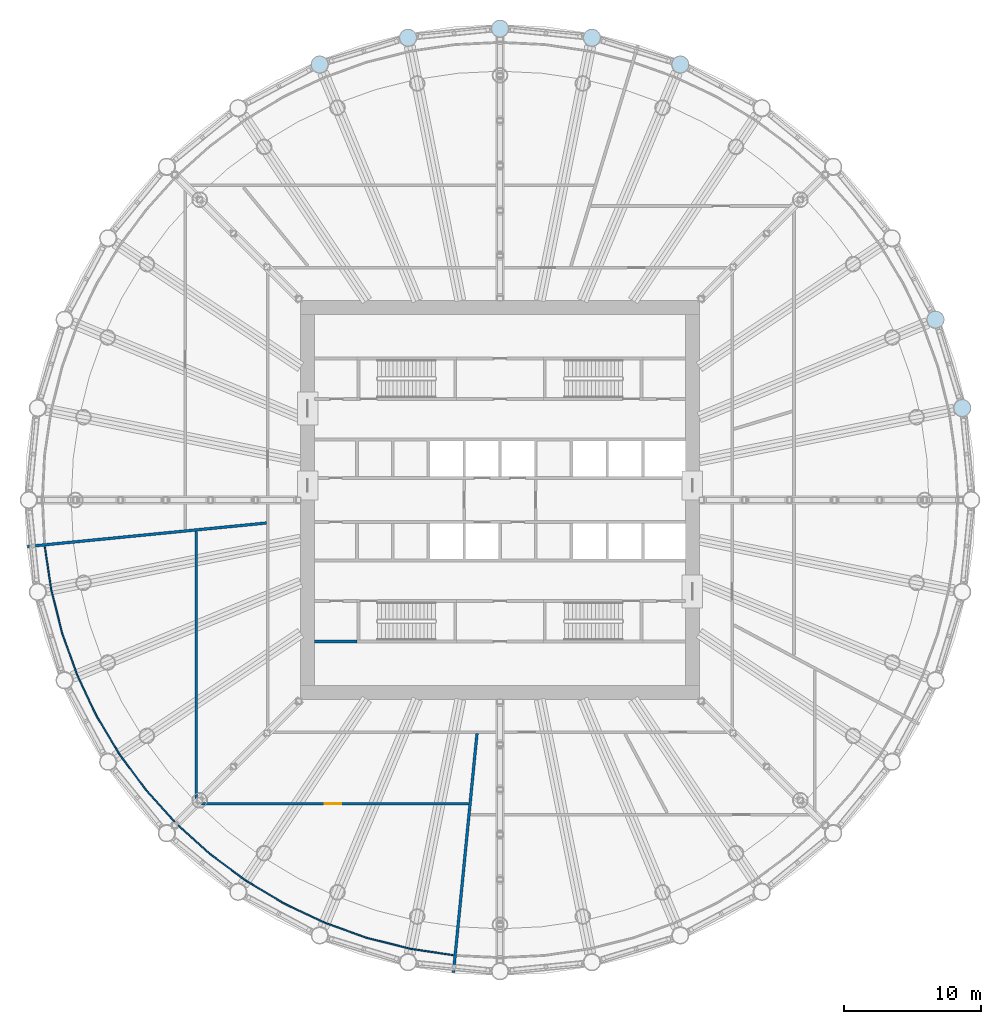
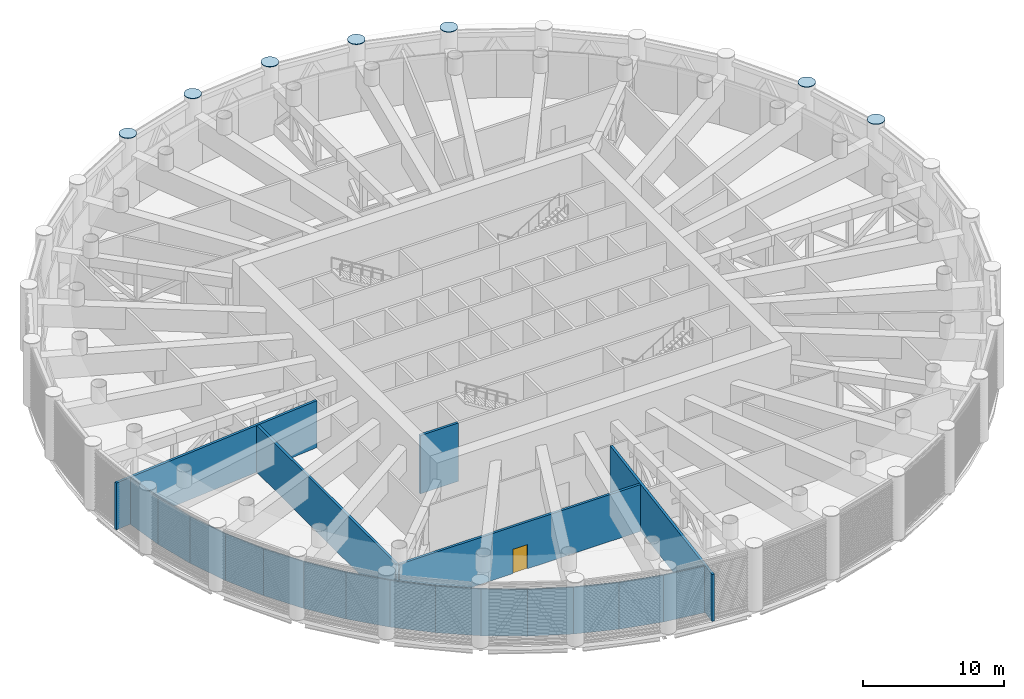
# One storey, part 11 of 29: 19 walls, 7 plates, 1 door, 1 opening.
"""IFC4 building model written with IfcOpenShell, lengths in metres."""

from ifc_helpers import new_model, si_unit, direction, frame, frame_2d, origin, place, context, subcontext, project, spatial, polyline, rectangle, outline, extrude, material, layer, layer_set, type_object, element, fill, save


model = new_model("IFC4")

# Units and contexts
model_context = context("Model", 3, precision=1e-05, world=origin(), true_north=direction((0.0, 1.0)))
body_context = subcontext(model_context, "Body", "Model", "MODEL_VIEW")
ifc_project = project(units=[si_unit("LENGTHUNIT", "METRE"), si_unit("AREAUNIT", "SQUARE_METRE"), si_unit("VOLUMEUNIT", "CUBIC_METRE"), si_unit("PLANEANGLEUNIT", "RADIAN"), si_unit("MASSUNIT", "GRAM", prefix="KILO")], contexts=[model_context])

# Site, building, storey
site_placement = place(None, origin())
site = spatial("IfcSite", under=ifc_project, at=site_placement, CompositionType="ELEMENT")
building_placement = place(site_placement, origin())
building = spatial("IfcBuilding", under=site, at=building_placement, Name="Corvane Civic Tower", CompositionType="ELEMENT")
storey_placement = place(building_placement, frame((0.0, 0.0, 138.5)))
storey = spatial("IfcBuildingStorey", under=building, at=storey_placement, Name="L32", CompositionType="ELEMENT", Elevation=138.5)

# Plates
ifc_material_1 = material(Name="Steel ASTM A572 Gr 50", Category="steel")
ifc_layer_1 = layer(ifc_material_1, 0.050048828125)
ifc_layer_set_1 = layer_set([ifc_layer_1], Name="Steel ASTM A572 Gr 50")
plate_type = type_object("IfcPlateType", Name="COLUMN CAP PLATE 50", PredefinedType="SHEET", material=ifc_layer_set_1)
plate_1_placement = place(storey_placement, frame((0.0, 0.0, 5.5)))
element("IfcPlate", 1, at=plate_1_placement, inside=storey, type_object=plate_type, Name="PL-L32-cap-B01", PredefinedType="SHEET", context=body_context, shape_type="SweptSolid", body=[
    extrude(outline(polyline([(0.625, 34.300048828125), (0.61962890625, 34.381591796875), (0.603759765625, 34.4619140625), (0.577392578125, 34.539306640625), (0.541259765625, 34.612548828125), (0.495849609375, 34.680419921875), (0.44189453125, 34.741943359375), (0.380615234375, 34.7958984375), (0.3125, 34.84130859375), (0.2392578125, 34.87744140625), (0.161865234375, 34.90380859375), (0.08154296875, 34.919677734375), (0.0, 34.925048828125), (-0.08154296875, 34.919677734375), (-0.161865234375, 34.90380859375), (-0.2392578125, 34.87744140625), (-0.3125, 34.84130859375), (-0.380615234375, 34.7958984375), (-0.44189453125, 34.741943359375), (-0.495849609375, 34.680419921875), (-0.541259765625, 34.612548828125), (-0.577392578125, 34.539306640625), (-0.603759765625, 34.4619140625), (-0.61962890625, 34.381591796875), (-0.625, 34.300048828125), (-0.61962890625, 34.218505859375), (-0.603759765625, 34.13818359375), (-0.577392578125, 34.060791015625), (-0.541259765625, 33.987548828125), (-0.495849609375, 33.919677734375), (-0.44189453125, 33.858154296875), (-0.380615234375, 33.80419921875), (-0.3125, 33.7587890625), (-0.2392578125, 33.72265625), (-0.161865234375, 33.6962890625), (-0.08154296875, 33.680419921875), (0.0, 33.675048828125), (0.08154296875, 33.680419921875), (0.161865234375, 33.6962890625), (0.2392578125, 33.72265625), (0.3125, 33.7587890625), (0.380615234375, 33.80419921875), (0.44189453125, 33.858154296875), (0.495849609375, 33.919677734375), (0.541259765625, 33.987548828125), (0.577392578125, 34.060791015625), (0.603759765625, 34.13818359375), (0.61962890625, 34.218505859375), (0.625, 34.300048828125)])), origin(), (0.0, 0.0, 1.0), 0.050048828125),
])
plate_2_placement = place(storey_placement, frame((0.0, 0.0, 5.5)))
element("IfcPlate", 2, at=plate_2_placement, inside=storey, type_object=plate_type, Name="PL-L32-cap-B02", PredefinedType="SHEET", context=body_context, shape_type="SweptSolid", body=[
    extrude(outline(polyline([(7.316650390625, 33.640869140625), (7.311279296875, 33.722412109375), (7.29541015625, 33.802490234375), (7.26904296875, 33.8798828125), (7.23291015625, 33.953369140625), (7.1875, 34.021240234375), (7.133544921875, 34.082763671875), (7.072021484375, 34.13671875), (7.004150390625, 34.18212890625), (6.930908203125, 34.21826171875), (6.853515625, 34.24462890625), (6.773193359375, 34.260498046875), (6.691650390625, 34.265869140625), (6.610107421875, 34.260498046875), (6.52978515625, 34.24462890625), (6.452392578125, 34.21826171875), (6.379150390625, 34.18212890625), (6.311279296875, 34.13671875), (6.249755859375, 34.082763671875), (6.19580078125, 34.021240234375), (6.150390625, 33.953369140625), (6.1142578125, 33.8798828125), (6.087890625, 33.802490234375), (6.072021484375, 33.722412109375), (6.066650390625, 33.640869140625), (6.072021484375, 33.559326171875), (6.087890625, 33.47900390625), (6.1142578125, 33.401611328125), (6.150390625, 33.328369140625), (6.19580078125, 33.260498046875), (6.249755859375, 33.198974609375), (6.311279296875, 33.14501953125), (6.379150390625, 33.099609375), (6.452392578125, 33.0634765625), (6.52978515625, 33.037109375), (6.610107421875, 33.021240234375), (6.691650390625, 33.015869140625), (6.773193359375, 33.021240234375), (6.853515625, 33.037109375), (6.930908203125, 33.0634765625), (7.004150390625, 33.099609375), (7.072021484375, 33.14501953125), (7.133544921875, 33.198974609375), (7.1875, 33.260498046875), (7.23291015625, 33.328369140625), (7.26904296875, 33.401611328125), (7.29541015625, 33.47900390625), (7.311279296875, 33.559326171875), (7.316650390625, 33.640869140625)])), origin(), (0.0, 0.0, 1.0), 0.050048828125),
])
plate_3_placement = place(storey_placement, frame((0.0, 0.0, 5.5)))
element("IfcPlate", 3, at=plate_3_placement, inside=storey, type_object=plate_type, Name="PL-L32-cap-B03", PredefinedType="SHEET", context=body_context, shape_type="SweptSolid", body=[
    extrude(outline(polyline([(13.7509765625, 31.68896484375), (13.74560546875, 31.7705078125), (13.729736328125, 31.8505859375), (13.703369140625, 31.927978515625), (13.667236328125, 32.00146484375), (13.621826171875, 32.0693359375), (13.56787109375, 32.130859375), (13.506591796875, 32.184814453125), (13.4384765625, 32.230224609375), (13.365234375, 32.266357421875), (13.28759765625, 32.292724609375), (13.20751953125, 32.30859375), (13.1259765625, 32.31396484375), (13.04443359375, 32.30859375), (12.964111328125, 32.292724609375), (12.88671875, 32.266357421875), (12.8134765625, 32.230224609375), (12.74560546875, 32.184814453125), (12.68408203125, 32.130859375), (12.630126953125, 32.0693359375), (12.584716796875, 32.00146484375), (12.548583984375, 31.927978515625), (12.522216796875, 31.8505859375), (12.50634765625, 31.7705078125), (12.5009765625, 31.68896484375), (12.50634765625, 31.607421875), (12.522216796875, 31.527099609375), (12.548583984375, 31.44970703125), (12.584716796875, 31.37646484375), (12.630126953125, 31.30859375), (12.68408203125, 31.2470703125), (12.74560546875, 31.193115234375), (12.8134765625, 31.147705078125), (12.88671875, 31.111572265625), (12.964111328125, 31.085205078125), (13.04443359375, 31.0693359375), (13.1259765625, 31.06396484375), (13.20751953125, 31.0693359375), (13.28759765625, 31.085205078125), (13.365234375, 31.111572265625), (13.4384765625, 31.147705078125), (13.506591796875, 31.193115234375), (13.56787109375, 31.2470703125), (13.621826171875, 31.30859375), (13.667236328125, 31.37646484375), (13.703369140625, 31.44970703125), (13.729736328125, 31.527099609375), (13.74560546875, 31.607421875), (13.7509765625, 31.68896484375)])), origin(), (0.0, 0.0, 1.0), 0.050048828125),
])
plate_4_placement = place(storey_placement, frame((0.0, 0.0, 5.5)))
element("IfcPlate", 4, at=plate_4_placement, inside=storey, type_object=plate_type, Name="PL-L32-cap-B07", PredefinedType="SHEET", context=body_context, shape_type="SweptSolid", body=[
    extrude(outline(polyline([(32.31396484375, 13.1259765625), (32.30859375, 13.20751953125), (32.292724609375, 13.28759765625), (32.266357421875, 13.365234375), (32.230224609375, 13.4384765625), (32.184814453125, 13.506591796875), (32.130859375, 13.56787109375), (32.0693359375, 13.621826171875), (32.00146484375, 13.667236328125), (31.927978515625, 13.703369140625), (31.8505859375, 13.729736328125), (31.7705078125, 13.74560546875), (31.68896484375, 13.7509765625), (31.607421875, 13.74560546875), (31.527099609375, 13.729736328125), (31.44970703125, 13.703369140625), (31.37646484375, 13.667236328125), (31.30859375, 13.621826171875), (31.2470703125, 13.56787109375), (31.193115234375, 13.506591796875), (31.147705078125, 13.4384765625), (31.111572265625, 13.365234375), (31.085205078125, 13.28759765625), (31.0693359375, 13.20751953125), (31.06396484375, 13.1259765625), (31.0693359375, 13.04443359375), (31.085205078125, 12.964111328125), (31.111572265625, 12.88671875), (31.147705078125, 12.8134765625), (31.193115234375, 12.74560546875), (31.2470703125, 12.68408203125), (31.30859375, 12.630126953125), (31.37646484375, 12.584716796875), (31.44970703125, 12.548583984375), (31.527099609375, 12.522216796875), (31.607421875, 12.50634765625), (31.68896484375, 12.5009765625), (31.7705078125, 12.50634765625), (31.8505859375, 12.522216796875), (31.927978515625, 12.548583984375), (32.00146484375, 12.584716796875), (32.0693359375, 12.630126953125), (32.130859375, 12.68408203125), (32.184814453125, 12.74560546875), (32.230224609375, 12.8134765625), (32.266357421875, 12.88671875), (32.292724609375, 12.964111328125), (32.30859375, 13.04443359375), (32.31396484375, 13.1259765625)])), origin(), (0.0, 0.0, 1.0), 0.050048828125),
])
plate_5_placement = place(storey_placement, frame((0.0, 0.0, 5.5)))
element("IfcPlate", 5, at=plate_5_placement, inside=storey, type_object=plate_type, Name="PL-L32-cap-B08", PredefinedType="SHEET", context=body_context, shape_type="SweptSolid", body=[
    extrude(outline(polyline([(34.265869140625, 6.691650390625), (34.260498046875, 6.773193359375), (34.24462890625, 6.853515625), (34.21826171875, 6.930908203125), (34.18212890625, 7.004150390625), (34.13671875, 7.072021484375), (34.082763671875, 7.133544921875), (34.021240234375, 7.1875), (33.953369140625, 7.23291015625), (33.8798828125, 7.26904296875), (33.802490234375, 7.29541015625), (33.722412109375, 7.311279296875), (33.640869140625, 7.316650390625), (33.559326171875, 7.311279296875), (33.47900390625, 7.29541015625), (33.401611328125, 7.26904296875), (33.328369140625, 7.23291015625), (33.260498046875, 7.1875), (33.198974609375, 7.133544921875), (33.14501953125, 7.072021484375), (33.099609375, 7.004150390625), (33.0634765625, 6.930908203125), (33.037109375, 6.853515625), (33.021240234375, 6.773193359375), (33.015869140625, 6.691650390625), (33.021240234375, 6.610107421875), (33.037109375, 6.52978515625), (33.0634765625, 6.452392578125), (33.099609375, 6.379150390625), (33.14501953125, 6.311279296875), (33.198974609375, 6.249755859375), (33.260498046875, 6.19580078125), (33.328369140625, 6.150390625), (33.401611328125, 6.1142578125), (33.47900390625, 6.087890625), (33.559326171875, 6.072021484375), (33.640869140625, 6.066650390625), (33.722412109375, 6.072021484375), (33.802490234375, 6.087890625), (33.8798828125, 6.1142578125), (33.953369140625, 6.150390625), (34.021240234375, 6.19580078125), (34.082763671875, 6.249755859375), (34.13671875, 6.311279296875), (34.18212890625, 6.379150390625), (34.21826171875, 6.452392578125), (34.24462890625, 6.52978515625), (34.260498046875, 6.610107421875), (34.265869140625, 6.691650390625)])), origin(), (0.0, 0.0, 1.0), 0.050048828125),
])
plate_6_placement = place(storey_placement, frame((0.0, 0.0, 5.5)))
element("IfcPlate", 6, at=plate_6_placement, inside=storey, type_object=plate_type, Name="PL-L32-cap-B31", PredefinedType="SHEET", context=body_context, shape_type="SweptSolid", body=[
    extrude(outline(polyline([(-12.5009765625, 31.68896484375), (-12.50634765625, 31.7705078125), (-12.522216796875, 31.8505859375), (-12.548583984375, 31.927978515625), (-12.584716796875, 32.00146484375), (-12.630126953125, 32.0693359375), (-12.68408203125, 32.130859375), (-12.74560546875, 32.184814453125), (-12.8134765625, 32.230224609375), (-12.88671875, 32.266357421875), (-12.964111328125, 32.292724609375), (-13.04443359375, 32.30859375), (-13.1259765625, 32.31396484375), (-13.20751953125, 32.30859375), (-13.28759765625, 32.292724609375), (-13.365234375, 32.266357421875), (-13.4384765625, 32.230224609375), (-13.506591796875, 32.184814453125), (-13.56787109375, 32.130859375), (-13.621826171875, 32.0693359375), (-13.667236328125, 32.00146484375), (-13.703369140625, 31.927978515625), (-13.729736328125, 31.8505859375), (-13.74560546875, 31.7705078125), (-13.7509765625, 31.68896484375), (-13.74560546875, 31.607421875), (-13.729736328125, 31.527099609375), (-13.703369140625, 31.44970703125), (-13.667236328125, 31.37646484375), (-13.621826171875, 31.30859375), (-13.56787109375, 31.2470703125), (-13.506591796875, 31.193115234375), (-13.4384765625, 31.147705078125), (-13.365234375, 31.111572265625), (-13.28759765625, 31.085205078125), (-13.20751953125, 31.0693359375), (-13.1259765625, 31.06396484375), (-13.04443359375, 31.0693359375), (-12.964111328125, 31.085205078125), (-12.88671875, 31.111572265625), (-12.8134765625, 31.147705078125), (-12.74560546875, 31.193115234375), (-12.68408203125, 31.2470703125), (-12.630126953125, 31.30859375), (-12.584716796875, 31.37646484375), (-12.548583984375, 31.44970703125), (-12.522216796875, 31.527099609375), (-12.50634765625, 31.607421875), (-12.5009765625, 31.68896484375)])), origin(), (0.0, 0.0, 1.0), 0.050048828125),
])
plate_7_placement = place(storey_placement, frame((0.0, 0.0, 5.5)))
element("IfcPlate", 7, at=plate_7_placement, inside=storey, type_object=plate_type, Name="PL-L32-cap-B32", PredefinedType="SHEET", context=body_context, shape_type="SweptSolid", body=[
    extrude(outline(polyline([(-6.066650390625, 33.640869140625), (-6.072021484375, 33.722412109375), (-6.087890625, 33.802490234375), (-6.1142578125, 33.8798828125), (-6.150390625, 33.953369140625), (-6.19580078125, 34.021240234375), (-6.249755859375, 34.082763671875), (-6.311279296875, 34.13671875), (-6.379150390625, 34.18212890625), (-6.452392578125, 34.21826171875), (-6.52978515625, 34.24462890625), (-6.610107421875, 34.260498046875), (-6.691650390625, 34.265869140625), (-6.773193359375, 34.260498046875), (-6.853515625, 34.24462890625), (-6.930908203125, 34.21826171875), (-7.004150390625, 34.18212890625), (-7.072021484375, 34.13671875), (-7.133544921875, 34.082763671875), (-7.1875, 34.021240234375), (-7.23291015625, 33.953369140625), (-7.26904296875, 33.8798828125), (-7.29541015625, 33.802490234375), (-7.311279296875, 33.722412109375), (-7.316650390625, 33.640869140625), (-7.311279296875, 33.559326171875), (-7.29541015625, 33.47900390625), (-7.26904296875, 33.401611328125), (-7.23291015625, 33.328369140625), (-7.1875, 33.260498046875), (-7.133544921875, 33.198974609375), (-7.072021484375, 33.14501953125), (-7.004150390625, 33.099609375), (-6.930908203125, 33.0634765625), (-6.853515625, 33.037109375), (-6.773193359375, 33.021240234375), (-6.691650390625, 33.015869140625), (-6.610107421875, 33.021240234375), (-6.52978515625, 33.037109375), (-6.452392578125, 33.0634765625), (-6.379150390625, 33.099609375), (-6.311279296875, 33.14501953125), (-6.249755859375, 33.198974609375), (-6.19580078125, 33.260498046875), (-6.150390625, 33.328369140625), (-6.1142578125, 33.401611328125), (-6.087890625, 33.47900390625), (-6.072021484375, 33.559326171875), (-6.066650390625, 33.640869140625)])), origin(), (0.0, 0.0, 1.0), 0.050048828125),
])

# Walls
ifc_material_2 = material(Name="Concrete C30/37", Category="concrete")
ifc_layer_2 = layer(ifc_material_2, 0.199951171875)
ifc_layer_set_2 = layer_set([ifc_layer_2], Name="Concrete C30/37")
wall_type_1 = type_object("IfcWallType", Name="CR-WALL-200", PredefinedType="PARTITIONING", material=ifc_layer_set_2)
wall_1_placement = place(storey_placement, origin())
element("IfcWall", 8, at=wall_1_placement, inside=storey, type_object=wall_type_1, Name="L32 core partition wall", PredefinedType="PARTITIONING", context=body_context, shape_type="SweptSolid", body=[
    extrude(outline(polyline([(-10.39990234375, -10.39990234375), (-13.5, -10.39990234375), (-13.5, -10.199951171875), (-10.39990234375, -10.199951171875), (-10.39990234375, -10.39990234375)])), origin(), (0.0, 0.0, 1.0), 5.050048828125),
])
ifc_material_3 = material(Name="Plasterboard")
ifc_layer_3 = layer(ifc_material_3, 0.10009765625)
ifc_layer_set_3 = layer_set([ifc_layer_3], Name="Plasterboard")
wall_type_2 = type_object("IfcWallType", Name="Partition 100 plasterboard on studs", PredefinedType="PARTITIONING", material=ifc_layer_set_3)
wall_2_placement = place(storey_placement, frame((-33.117919921875, -3.402587890625, 0.0), z_axis=(0.0, 0.0, 1.0), x_axis=(0.146752346803, -0.989173265261, 0.0)))
element("IfcWall", 9, at=wall_2_placement, inside=storey, type_object=wall_type_2, Name="Partition L32.022", PredefinedType="PARTITIONING", context=body_context, shape_type="SweptSolid", body=[
    extrude(rectangle(XDim=3.127685546875, YDim=0.10009765625, at=frame_2d((1.56396484375, 0.0))), origin(), (0.0, 0.0, 1.0), 4.050048828125),
])
wall_3_placement = place(storey_placement, frame((-32.658935546875, -6.496337890625, 0.0), z_axis=(0.0, 0.0, 1.0), x_axis=(0.243045406327, -0.970014912495, 0.0)))
element("IfcWall", 10, at=wall_3_placement, inside=storey, type_object=wall_type_2, Name="Partition L32.024", PredefinedType="PARTITIONING", context=body_context, shape_type="SweptSolid", body=[
    extrude(rectangle(XDim=3.267578125, YDim=0.10009765625, at=frame_2d((1.6337890625, 0.0))), origin(), (0.0, 0.0, 1.0), 4.050048828125),
])
for number, where, z_axis, x_axis, name in (
    (11, (-31.86474609375, -9.666015625, 0.0), (0.0, 0.0, 1.0), (0.336795438533, -0.94157784202, 0.0), "Partition L32.026"),
    (12, (-30.76416015625, -12.742919921875, 0.0), (0.0, 0.0, 1.0), (0.427652727974, -0.903943108971, 0.0), "Partition L32.028"),
    (13, (-29.36669921875, -15.69677734375, 0.0), (0.0, 0.0, 1.0), (0.514023229516, -0.857776264254, 0.0), "Partition L32.030"),
    (14, (-27.68701171875, -18.499755859375, 0.0), (0.0, 0.0, 1.0), (0.595724124813, -0.803189122882, 0.0), "Partition L32.032"),
    (15, (-25.740234375, -21.12451171875, 0.0), (0.0, 0.0, 1.0), (0.671589927788, -0.740923051938, 0.0), "Partition L32.034"),
    (16, (-23.545654296875, -23.545654296875, 0.0), (0.0, 0.0, 1.0), (0.740923051938, -0.671589927788, 0.0), "Partition L32.036"),
    (17, (-21.12451171875, -25.740234375, 0.0), (0.0, 0.0, 1.0), (0.803189122882, -0.595724124813, 0.0), "Partition L32.038"),
    (18, (-18.499755859375, -27.68701171875, 0.0), (0.0, 0.0, 1.0), (0.857776264254, -0.514023229516, 0.0), "Partition L32.040"),
    (19, (-15.69677734375, -29.36669921875, 0.0), (0.0, 0.0, 1.0), (0.903943108971, -0.427652727974, 0.0), "Partition L32.042"),
    (20, (-12.742919921875, -30.76416015625, 0.0), (0.0, 0.0, 1.0), (0.94157784202, -0.336795438533, 0.0), "Partition L32.045"),
):
    element("IfcWall", number, at=place(storey_placement, frame(where, z_axis=z_axis, x_axis=x_axis)), inside=storey, type_object=wall_type_2, Name=name, PredefinedType="PARTITIONING", context=body_context, shape_type="SweptSolid", body=[
        extrude(rectangle(XDim=3.267822265625, YDim=0.10009765625, at=frame_2d((1.6337890625, 0.0))), origin(), (0.0, 0.0, 1.0), 4.050048828125),
    ])
wall_4_placement = place(storey_placement, frame((-9.666015625, -31.86474609375, 0.0), z_axis=(0.0, 0.0, 1.0), x_axis=(0.970014912495, -0.243045406327, 0.0)))
element("IfcWall", 21, at=wall_4_placement, inside=storey, type_object=wall_type_2, Name="Partition L32.046", PredefinedType="PARTITIONING", context=body_context, shape_type="SweptSolid", body=[
    extrude(rectangle(XDim=3.267578125, YDim=0.10009765625, at=frame_2d((1.6337890625, 0.0))), origin(), (0.0, 0.0, 1.0), 4.050048828125),
])
wall_5_placement = place(storey_placement, frame((-6.496337890625, -32.658935546875, 0.0), z_axis=(0.0, 0.0, 1.0), x_axis=(0.989173265261, -0.146752346803, 0.0)))
element("IfcWall", 22, at=wall_5_placement, inside=storey, type_object=wall_type_2, Name="Partition L32.049", PredefinedType="PARTITIONING", context=body_context, shape_type="SweptSolid", body=[
    extrude(rectangle(XDim=3.127685546875, YDim=0.10009765625, at=frame_2d((1.56396484375, 0.0))), origin(), (0.0, 0.0, 1.0), 4.050048828125),
])
ifc_material_4 = material(Name="Gypsum fibreboard")
ifc_layer_4 = layer(ifc_material_4, 0.199951171875)
ifc_layer_set_4 = layer_set([ifc_layer_4], Name="Gypsum fibreboard")
wall_type_3 = type_object("IfcWallType", Name="Plant and refuge wall 200 EI 120", PredefinedType="PARTITIONING", material=ifc_layer_set_4)
wall_6_placement = place(storey_placement, frame((-3.386474609375, -34.3837890625, 0.0), z_axis=(0.0, 0.0, 1.0), x_axis=(0.098015918408, 0.99518484702, 0.0)))
element("IfcWall", 23, at=wall_6_placement, inside=storey, type_object=wall_type_3, Name="Partition L32.001", PredefinedType="PARTITIONING", context=body_context, shape_type="SweptSolid", body=[
    extrude(rectangle(XDim=17.483154296875, YDim=0.199951171875, at=frame_2d((8.74169921875, 0.0))), origin(), (0.0, 0.0, 1.0), 4.050048828125),
])

# Wall, opening, door
wall_7_placement = place(storey_placement, frame((-22.0, -22.10009765625, 0.0), z_axis=(0.0, 0.0, 1.0), x_axis=(1.0, 0.0, 0.0)))
wall_7 = element("IfcWall", 24, at=wall_7_placement, inside=storey, type_object=wall_type_3, Name="Partition L32.005", PredefinedType="PARTITIONING", context=body_context, shape_type="SweptSolid", body=[
    extrude(rectangle(XDim=19.712890625, YDim=0.199951171875, at=frame_2d((9.8564453125, 0.0))), origin(), (0.0, 0.0, 1.0), 4.050048828125),
])
opening_placement = place(wall_7_placement, frame((9.26171875, 0.0, 0.0)))
opening = element("IfcOpeningElement", 25, at=opening_placement, cuts=wall_7, Name="Opening L32.007", PredefinedType="OPENING", context=body_context, shape_type="SweptSolid", body=[
    extrude(rectangle(XDim=1.199951171875, YDim=2.10009765625, at=frame_2d((0.60009765625, 1.050048828125))), frame((0.0, 0.10986328125, 0.0), z_axis=(0.0, -1.0, 0.0), x_axis=(1.0, 0.0, 0.0)), (0.0, 0.0, 1.0), 0.219970703125),
])
ifc_material_5 = material(Name="Steel and timber", Category="steel")
door_type = type_object("IfcDoorType", Name="Fire door FD60 1200", OperationType="NOTDEFINED", PredefinedType="DOOR", material=ifc_material_5)
door_placement = place(opening_placement, frame((1.199951171875, 0.0, 0.0), z_axis=(0.0, 0.0, 1.0), x_axis=(-1.0, 0.0, 0.0)))
door = element("IfcDoor", 26, at=door_placement, inside=storey, type_object=door_type, Name="Door L32.007", OperationType="SINGLE_SWING_RIGHT", OverallHeight=2.10009765625, OverallWidth=1.199951171875, PredefinedType="DOOR", context=body_context, shape_type="SweptSolid", body=[
    extrude(rectangle(XDim=1.199951171875, YDim=2.10009765625, at=frame_2d((0.60009765625, 1.050048828125))), frame((0.0, 0.02490234375, 0.0), z_axis=(0.0, -1.0, 0.0), x_axis=(1.0, 0.0, 0.0)), (0.0, 0.0, 1.0), 0.050048828125),
])
fill(opening, door)

# Walls
wall_8_placement = place(storey_placement, frame((-22.10009765625, -22.0, 0.0), z_axis=(0.0, 0.0, 1.0), x_axis=(0.0, 1.0, 0.0)))
element("IfcWall", 27, at=wall_8_placement, inside=storey, type_object=wall_type_3, Name="Partition L32.006", PredefinedType="PARTITIONING", context=body_context, shape_type="SweptSolid", body=[
    extrude(rectangle(XDim=19.712890625, YDim=0.199951171875, at=frame_2d((9.8564453125, 0.0))), origin(), (0.0, 0.0, 1.0), 4.050048828125),
])
wall_9_placement = place(storey_placement, frame((-34.3837890625, -3.386474609375, 0.0), z_axis=(0.0, 0.0, 1.0), x_axis=(0.99518484702, 0.098015918408, 0.0)))
element("IfcWall", 28, at=wall_9_placement, inside=storey, type_object=wall_type_3, Name="Partition L32.012", PredefinedType="PARTITIONING", context=body_context, shape_type="SweptSolid", body=[
    extrude(rectangle(XDim=17.483154296875, YDim=0.199951171875, at=frame_2d((8.74169921875, 0.0))), origin(), (0.0, 0.0, 1.0), 4.050048828125),
])

save(model, "model.ifc")
